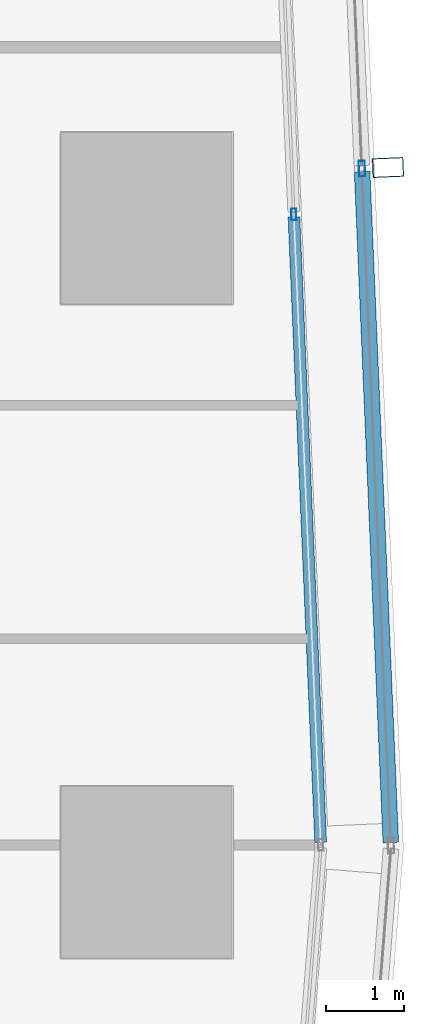
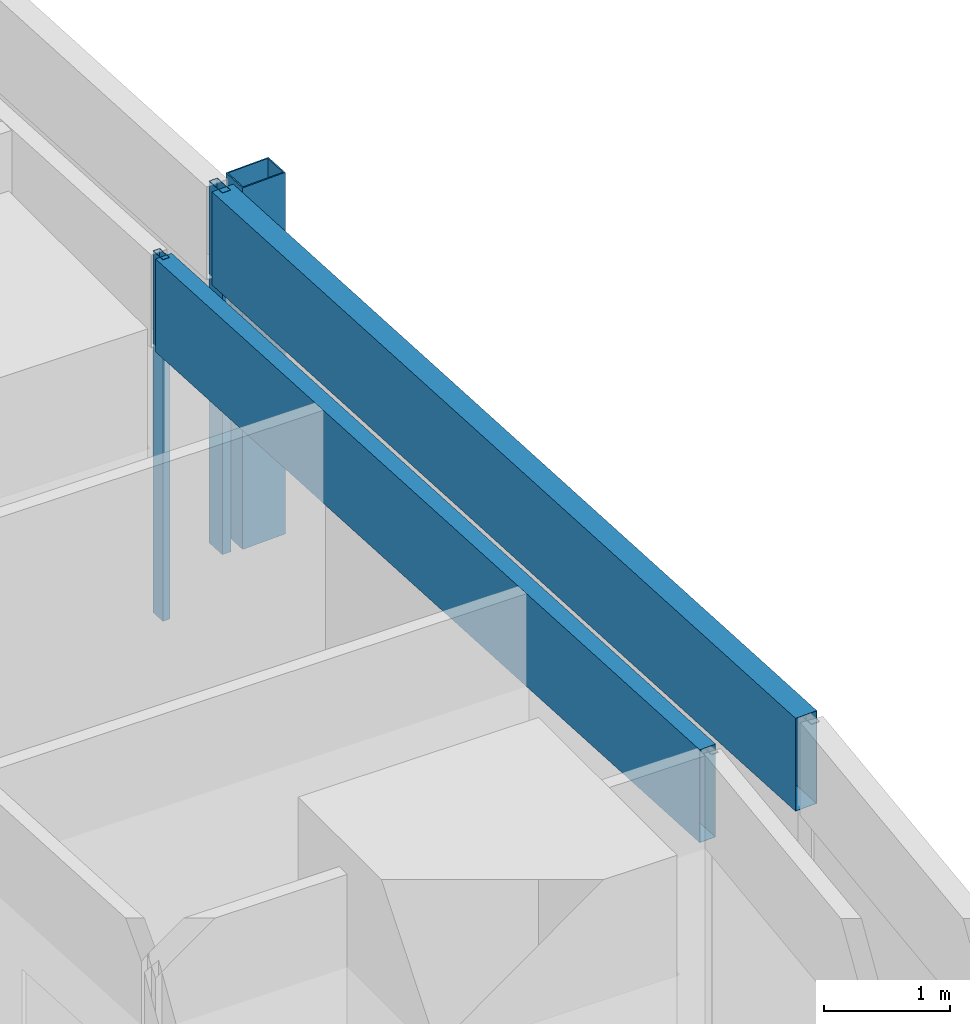
# One storey, part 27 of 44: 5 members, 2 elements without a shape of their own.
"""IFC4 building model written with IfcOpenShell, lengths in metres."""

import ifcopenshell
import ifcopenshell.guid

model = None  # the IFC model being written
_history = None  # IfcOwnerHistory: only IFC2X3 demands one
_inside = {}  # id of a spatial element -> (the spatial element, [elements in it])
_under = {}  # id of a project, library or spatial element -> (it, [spatial elements below it])
_declared = {}  # id of a project -> (the project, [libraries it declares])
_typed = {}  # id of a type object -> (the type object, [elements of that type])
_made_of = {}  # id of a material, layer set ... -> (it, [elements and type objects made of it])


def new_model(schema):
    """Start an empty IFC model of exactly this schema.

    Asked for "IFC4X3", IfcOpenShell would pick the latest addendum, in which some entities
    have other attributes; the version numbers below select the first issue.
    IFC2X3 requires an IfcOwnerHistory on every rooted entity: one is made here for all.
    """
    global model, _history
    if schema == "IFC4X3":
        model = ifcopenshell.file(schema_version=(4, 3, 0, 0))
    else:
        model = ifcopenshell.file(schema=schema)
    _inside.clear()
    _under.clear()
    _declared.clear()
    _typed.clear()
    _made_of.clear()
    _history = None
    if model.schema == "IFC2X3":
        org = make("IfcOrganization", Name="unknown")
        user = make(
            "IfcPersonAndOrganization",
            ThePerson=make("IfcPerson", FamilyName="unknown"),
            TheOrganization=org,
        )
        app = make(
            "IfcApplication",
            ApplicationDeveloper=org,
            Version="unknown",
            ApplicationFullName="unknown",
            ApplicationIdentifier="unknown",
        )
        _history = make(
            "IfcOwnerHistory",
            OwningUser=user,
            OwningApplication=app,
            ChangeAction="ADDED",
            CreationDate=0,
        )
    return model


def make(cls, **values):
    """One entity of the class cls with the attributes given. An attribute that is None is left unset."""
    return model.create_entity(
        cls, **{name: value for name, value in values.items() if value is not None}
    )


def rooted(cls, **values):
    """An entity with a GlobalId (a new one), such as an element, a storey or a relation."""
    return make(cls, GlobalId=ifcopenshell.guid.new(), OwnerHistory=_history, **values)


def si_unit(unit_type, name, prefix=None):
    """IfcSIUnit, for example si_unit("LENGTHUNIT", "METRE", prefix="MILLI")."""
    return make("IfcSIUnit", UnitType=unit_type, Prefix=prefix, Name=name)


def assignment(units):
    """IfcUnitAssignment: the units of a project."""
    return None if units is None else make("IfcUnitAssignment", Units=units)


def point(xyz):
    """IfcCartesianPoint."""
    return None if xyz is None else make("IfcCartesianPoint", Coordinates=xyz)


def direction(xyz):
    """IfcDirection."""
    return None if xyz is None else make("IfcDirection", DirectionRatios=xyz)


def frame(location, z_axis=None, x_axis=None):
    """IfcAxis2Placement3D, a coordinate frame: its origin and axes. An axis left out is left unset."""
    return make(
        "IfcAxis2Placement3D",
        Location=point(location),
        Axis=direction(z_axis),
        RefDirection=direction(x_axis),
    )


def frame_2d(location, x_axis=None):
    """IfcAxis2Placement2D, a coordinate frame in the plane: its origin and x axis."""
    return make(
        "IfcAxis2Placement2D", Location=point(location), RefDirection=direction(x_axis)
    )


def origin():
    """The frame at (0, 0, 0) with its axes left unset."""
    return frame((0.0, 0.0, 0.0))


def origin_2d():
    """The frame at (0, 0) in the plane with its x axis left unset."""
    return frame_2d((0.0, 0.0))


def place(relative_to, where):
    """IfcLocalPlacement: puts the frame where relative to a parent placement (None: the world)."""
    return make(
        "IfcLocalPlacement", PlacementRelTo=relative_to, RelativePlacement=where
    )


def context(
    kind, dimensions, precision=None, world=None, true_north=None, identifier=None
):
    """IfcGeometricRepresentationContext, for example the 3D "Model" context."""
    return make(
        "IfcGeometricRepresentationContext",
        ContextIdentifier=identifier,
        ContextType=kind,
        CoordinateSpaceDimension=dimensions,
        Precision=precision,
        WorldCoordinateSystem=world,
        TrueNorth=true_north,
    )


def subcontext(parent, identifier, kind, view, scale=None):
    """IfcGeometricRepresentationSubContext, for example "Body" below "Model"."""
    return make(
        "IfcGeometricRepresentationSubContext",
        ContextIdentifier=identifier,
        ContextType=kind,
        ParentContext=parent,
        TargetScale=scale,
        TargetView=view,
    )


def project(units=None, contexts=None):
    """IfcProject with its units and contexts."""
    return rooted(
        "IfcProject",
        Name="project",
        RepresentationContexts=contexts,
        UnitsInContext=assignment(units),
    )


def spatial(cls, under=None, at=None, **own):
    """A site, building, storey or space (cls), placed at a placement, below another one or the project."""
    s = rooted(cls, ObjectPlacement=at, **own)
    if under is not None:
        _under.setdefault(under.id(), (under, []))[1].append(s)
    return s


def profile(cls, at=None, kind="AREA", **sizes):
    """A parametric profile (cls). Its sizes go by their IFC names, for example OverallWidth=200.0."""
    return make(cls, ProfileType=kind, Position=at, **sizes)


def hollow_rectangle(**sizes):
    """IfcRectangleHollowProfileDef."""
    return profile("IfcRectangleHollowProfileDef", **sizes)


def extrude(swept, where, along, depth):
    """IfcExtrudedAreaSolid: the profile swept, set in the frame where, extruded along a direction by depth."""
    return make(
        "IfcExtrudedAreaSolid",
        SweptArea=swept,
        Position=where,
        ExtrudedDirection=direction(along),
        Depth=depth,
    )


def shape(context_of_items, identifier, shape_type, items):
    """IfcShapeRepresentation: the items that make up one representation, for example the "Body"."""
    return make(
        "IfcShapeRepresentation",
        ContextOfItems=context_of_items,
        RepresentationIdentifier=identifier,
        RepresentationType=shape_type,
        Items=items,
    )


def material(Name=None, Category=None):
    """IfcMaterial."""
    return make("IfcMaterial", Name=Name, Category=Category)


def material_profile(
    of_material, cross_section, Name=None, Category=None, Priority=None
):
    """IfcMaterialProfile: a cross section and its material."""
    return make(
        "IfcMaterialProfile",
        Name=Name,
        Material=of_material,
        Profile=cross_section,
        Priority=Priority,
        Category=Category,
    )


def profile_set(profiles, Name=None, composite=None):
    """IfcMaterialProfileSet."""
    return make(
        "IfcMaterialProfileSet",
        Name=Name,
        MaterialProfiles=profiles,
        CompositeProfile=composite,
    )


def made_of(thing, what):
    """Note that an element or type object is made of a material, layer set ...; save() writes the relation."""
    if what is not None:
        _made_of.setdefault(what.id(), (what, []))[1].append(thing)
    return thing


def type_object(cls, material=None, **own):
    """A type object (cls), such as IfcWallType, which elements share."""
    return made_of(rooted(cls, **own), material)


def element(
    cls,
    number,
    at=None,
    inside=None,
    cuts=None,
    type_object=None,
    material=None,
    context=None,
    identifier="Body",
    shape_type=None,
    held_by="IfcProductDefinitionShape",
    body=None,
    shapes=None,
    **own,
):
    """One element of the class cls, such as IfcWall. Its Tag is "e" and its number.

    at: its placement. inside: the storey or other place that contains it. cuts: it is an
    opening in that element (IfcRelVoidsElement). A single representation is given by context,
    identifier, shape_type and body (its items); several are given by shapes. held_by: the class
    of the entity that holds the representations. save() writes the other relations.
    """
    e = rooted(cls, Tag="e%d" % number, ObjectPlacement=at, **own)
    if body is not None:
        shapes = [shape(context, identifier, shape_type, body)]
    if shapes is not None:
        e.Representation = make(held_by, Representations=shapes)
    if inside is not None:
        _inside.setdefault(inside.id(), (inside, []))[1].append(e)
    if cuts is not None:
        rooted(
            "IfcRelVoidsElement", RelatingBuildingElement=cuts, RelatedOpeningElement=e
        )
    if type_object is not None:
        _typed.setdefault(type_object.id(), (type_object, []))[1].append(e)
    return made_of(e, material)


def aggregate(whole, parts):
    """IfcRelAggregates: a whole, such as a stair, and the parts it consists of."""
    return rooted("IfcRelAggregates", RelatingObject=whole, RelatedObjects=parts)


def save(model, path):
    """Write the relations noted so far, then the file.

    IfcRelAggregates (storeys below a building ...), IfcRelContainedInSpatialStructure (elements
    in a storey), IfcRelDefinesByType, IfcRelAssociatesMaterial and IfcRelDeclares: one each for
    every whole, place, type object, material and project.
    """
    for whole, parts in _under.values():
        aggregate(whole, parts)
    for where, things in _inside.values():
        rooted(
            "IfcRelContainedInSpatialStructure",
            RelatedElements=things,
            RelatingStructure=where,
        )
    for kind, things in _typed.values():
        rooted("IfcRelDefinesByType", RelatedObjects=things, RelatingType=kind)
    for what, things in _made_of.values():
        rooted("IfcRelAssociatesMaterial", RelatedObjects=things, RelatingMaterial=what)
    for by, libraries in _declared.values():
        rooted("IfcRelDeclares", RelatingContext=by, RelatedDefinitions=libraries)
    model.write(path)


model = new_model("IFC4")

# Units and contexts
model_context = context("Model", 3, precision=1e-05, world=origin(), true_north=direction((0.0, 1.0)))
body_context = subcontext(model_context, "Body", "Model", "MODEL_VIEW")
ifc_project = project(units=[si_unit("LENGTHUNIT", "METRE"), si_unit("AREAUNIT", "SQUARE_METRE"), si_unit("VOLUMEUNIT", "CUBIC_METRE"), si_unit("PLANEANGLEUNIT", "RADIAN"), si_unit("MASSUNIT", "GRAM", prefix="KILO")], contexts=[model_context])

# Site, building, storey
site_placement = place(None, origin())
site = spatial("IfcSite", under=ifc_project, at=site_placement, CompositionType="ELEMENT")
building_placement = place(site_placement, origin())
building = spatial("IfcBuilding", under=site, at=building_placement, Name="Rekha Terrace Tower", CompositionType="ELEMENT")
storey_placement = place(building_placement, frame((0.0, 0.0, 62.89990234375)))
storey = spatial("IfcBuildingStorey", under=building, at=storey_placement, Name="L15", CompositionType="ELEMENT", Elevation=62.89990234375)

# Curtain wall, member
ifc_material_1 = material(Name="Aluminium framing", Category="aluminium")
curtain_wall_type_1 = type_object("IfcCurtainWallType", Name="CW2 double skin outer glazing", PredefinedType="USERDEFINED", material=ifc_material_1)
curtain_wall_1_placement = place(storey_placement, origin())
curtain_wall_1 = element("IfcCurtainWall", 1, at=curtain_wall_1_placement, inside=storey, type_object=curtain_wall_type_1, Name="CW2 double skin outer glazing", ObjectType="DOUBLE SKIN OUTER GLAZING", PredefinedType="USERDEFINED")
ifc_material_2 = material(Name="Steel S355 with fluorocarbon finish", Category="steel")
ifc_material_profile_1 = material_profile(ifc_material_2, hollow_rectangle(XDim=0.25, YDim=0.39990234375, WallThickness=0.012451171875, at=origin_2d()), Name="RHS400x250x12.5")
ifc_profile_set_1 = profile_set([ifc_material_profile_1], Name="Steel S355 with fluorocarbon finish")
member_type_1 = type_object("IfcMemberType", Name="BL1 facade blade RHS 400 x 250", PredefinedType="USERDEFINED", material=ifc_profile_set_1)
member_1_placement = place(storey_placement, frame((70.301025390625, 34.2529296875, 0.0), z_axis=(0.0, 0.0, 1.0), x_axis=(-0.04269522475, 0.99908814315, 0.0)))
member_1 = element("IfcMember", 2, at=member_1_placement, type_object=member_type_1, Name="Facade blade", ObjectType="FACADE BLADE", PredefinedType="USERDEFINED", context=body_context, shape_type="SweptSolid", body=[
    extrude(hollow_rectangle(XDim=0.25, YDim=0.39990234375, WallThickness=0.012451171875, at=origin_2d()), origin(), (0.0, 0.0, 1.0), 3.5),
])

# Curtain wall, members
curtain_wall_type_2 = type_object("IfcCurtainWallType", Name="CW1 double skin inner glazing", PredefinedType="USERDEFINED", material=ifc_material_1)
curtain_wall_2_placement = place(storey_placement, origin())
curtain_wall_2 = element("IfcCurtainWall", 3, at=curtain_wall_2_placement, inside=storey, type_object=curtain_wall_type_2, Name="CW1 double skin inner glazing", ObjectType="DOUBLE SKIN INNER GLAZING", PredefinedType="USERDEFINED")
ifc_material_3 = material(Name="Aluminium mullion section", Category="aluminium")
ifc_material_profile_2 = material_profile(ifc_material_3, hollow_rectangle(XDim=0.06494140625, YDim=0.14990234375, WallThickness=0.00390625, at=origin_2d()), Name="AL RHS 65x150")
ifc_profile_set_2 = profile_set([ifc_material_profile_2], Name="Aluminium mullion section")
member_type_2 = type_object("IfcMemberType", Name="CW1 mullion RHS 65 x 150", PredefinedType="MULLION", material=ifc_profile_set_2)
member_2_placement = place(storey_placement, frame((69.0908203125, 33.650390625, 0.0), z_axis=(0.0, 0.0, 1.0), x_axis=(-0.999088106904, -0.042696072921, 0.0)))
member_2 = element("IfcMember", 4, at=member_2_placement, type_object=member_type_2, Name="CW1 mullion 2", PredefinedType="MULLION", context=body_context, shape_type="SweptSolid", body=[
    extrude(hollow_rectangle(XDim=0.06494140625, YDim=0.14990234375, WallThickness=0.00390625, at=origin_2d()), origin(), (0.0, 0.0, 1.0), 3.5),
])
ifc_material_4 = material(Name="Insulated aluminium spandrel box", Category="aluminium")
ifc_material_profile_3 = material_profile(ifc_material_4, hollow_rectangle(XDim=0.14990234375, YDim=0.89990234375, WallThickness=0.0029296875, at=origin_2d()), Name="AL SPANDREL BOX 150x900")
ifc_profile_set_3 = profile_set([ifc_material_profile_3], Name="Insulated aluminium spandrel box")
member_type_3 = type_object("IfcMemberType", Name="CW1 spandrel transom 150 x 900", PredefinedType="USERDEFINED", material=ifc_profile_set_3)
member_3_placement = place(storey_placement, frame((69.435546875, 25.584228515625, 3.050048828125), z_axis=(-0.042719126599, 0.999087121438, 0.0), x_axis=(-0.999087121438, -0.042719126599, 0.0)))
member_3 = element("IfcMember", 5, at=member_3_placement, type_object=member_type_3, Name="CW1 spandrel transom 1", ObjectType="TRANSOM", PredefinedType="USERDEFINED", context=body_context, shape_type="SweptSolid", body=[
    extrude(hollow_rectangle(XDim=0.14990234375, YDim=0.89990234375, WallThickness=0.0029296875, at=origin_2d()), origin(), (0.0, 0.0, 1.0), 8.041015625),
])
aggregate(curtain_wall_2, [member_2, member_3])

# Member
ifc_material_profile_4 = material_profile(ifc_material_3, hollow_rectangle(XDim=0.080078125, YDim=0.199951171875, WallThickness=0.00390625, at=origin_2d()), Name="AL RHS 80x200")
ifc_profile_set_4 = profile_set([ifc_material_profile_4], Name="Aluminium mullion section")
member_type_4 = type_object("IfcMemberType", Name="CW2 mullion RHS 80 x 200", PredefinedType="MULLION", material=ifc_profile_set_4)
member_4_placement = place(storey_placement, frame((69.96630859375, 34.23876953125, 0.0), z_axis=(0.0, 0.0, 1.0), x_axis=(-0.999088106903, -0.042696072956, 0.0)))
member_4 = element("IfcMember", 6, at=member_4_placement, type_object=member_type_4, Name="CW2 mullion 2", PredefinedType="MULLION", context=body_context, shape_type="SweptSolid", body=[
    extrude(hollow_rectangle(XDim=0.080078125, YDim=0.199951171875, WallThickness=0.00390625, at=origin_2d()), origin(), (0.0, 0.0, 1.0), 3.5),
])

ifc_material_profile_5 = material_profile(ifc_material_4, hollow_rectangle(XDim=0.199951171875, YDim=0.89990234375, WallThickness=0.0029296875, at=origin_2d()), Name="AL SPANDREL BOX 200x900")
ifc_profile_set_5 = profile_set([ifc_material_profile_5], Name="Insulated aluminium spandrel box")
member_type_5 = type_object("IfcMemberType", Name="CW2 spandrel transom 200 x 900", PredefinedType="USERDEFINED", material=ifc_profile_set_5)
member_5_placement = place(storey_placement, frame((70.33642578125, 25.582763671875, 3.050048828125), z_axis=(-0.042719742329, 0.99908709511, 0.0), x_axis=(-0.99908709511, -0.042719742329, 0.0)))
member_5 = element("IfcMember", 7, at=member_5_placement, type_object=member_type_5, Name="CW2 spandrel transom 1", ObjectType="TRANSOM", PredefinedType="USERDEFINED", context=body_context, shape_type="SweptSolid", body=[
    extrude(hollow_rectangle(XDim=0.199951171875, YDim=0.89990234375, WallThickness=0.0029296875, at=origin_2d()), origin(), (0.0, 0.0, 1.0), 8.623779296875),
])

aggregate(curtain_wall_1, [member_4, member_5, member_1])

save(model, "model.ifc")
